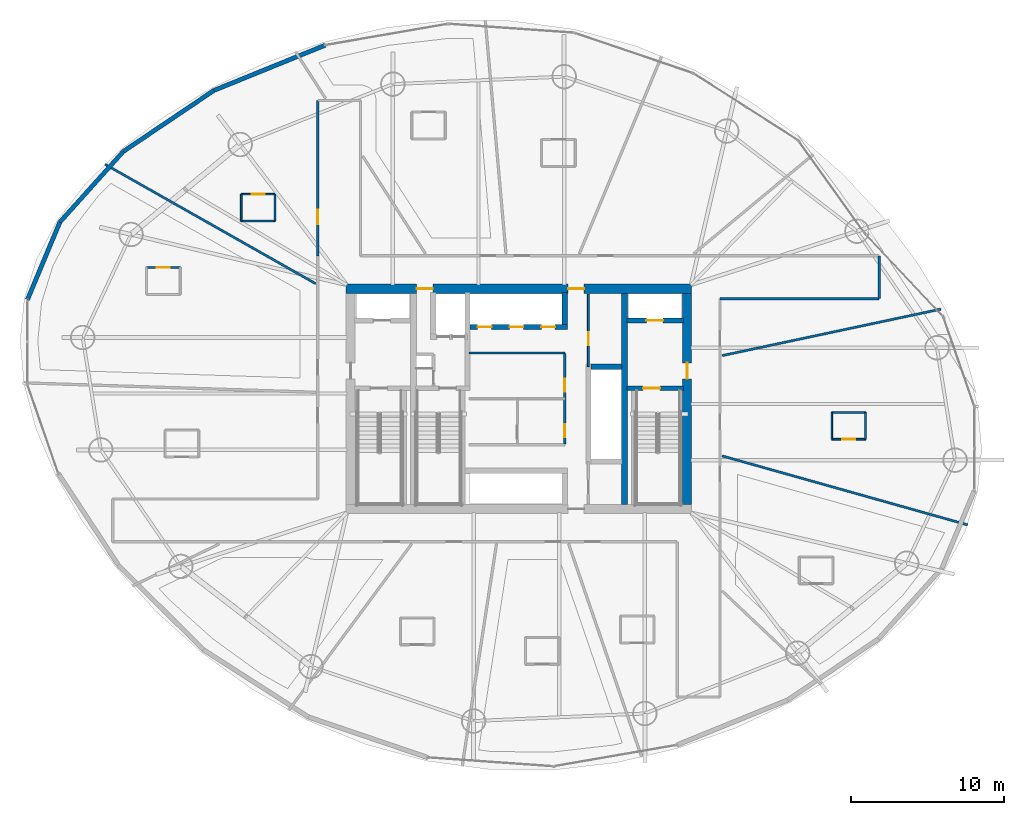
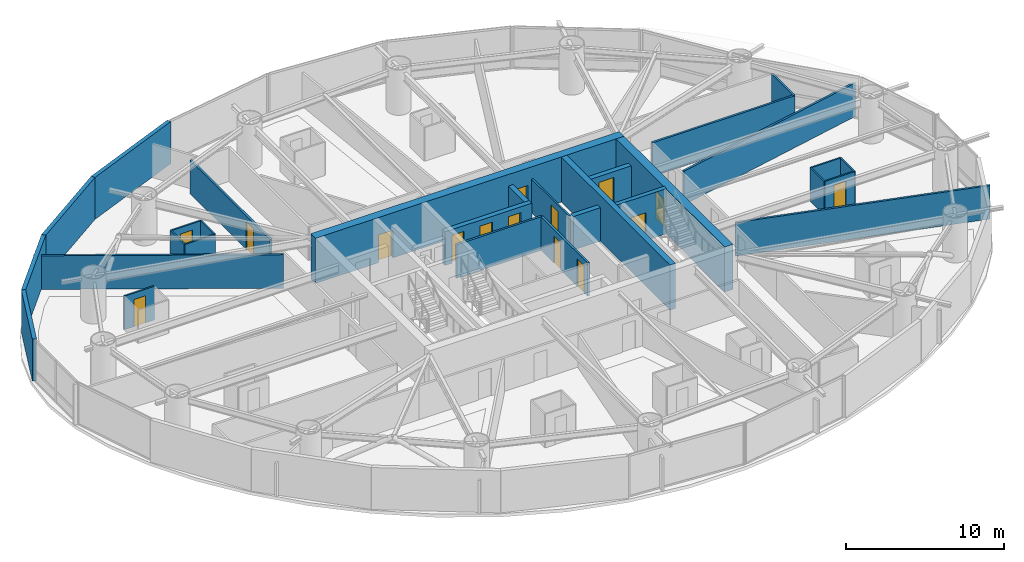
# One storey, part 22 of 27: 30 walls, 15 doors, 15 openings.
"""IFC4 building model written with IfcOpenShell, lengths in metres."""

from ifc_helpers import new_model, si_unit, direction, frame, frame_2d, origin, place, context, subcontext, project, spatial, rectangle, extrude, material, layer, layer_set, type_object, element, fill, save


model = new_model("IFC4")

# Units and contexts
model_context = context("Model", 3, precision=1e-05, world=origin(), true_north=direction((0.0, 1.0)))
body_context = subcontext(model_context, "Body", "Model", "MODEL_VIEW")
ifc_project = project(units=[si_unit("LENGTHUNIT", "METRE"), si_unit("AREAUNIT", "SQUARE_METRE"), si_unit("VOLUMEUNIT", "CUBIC_METRE"), si_unit("PLANEANGLEUNIT", "RADIAN"), si_unit("MASSUNIT", "GRAM", prefix="KILO")], contexts=[model_context])

# Site, building, storey
site_placement = place(None, origin())
site = spatial("IfcSite", under=ifc_project, at=site_placement, CompositionType="ELEMENT")
building_placement = place(site_placement, origin())
building = spatial("IfcBuilding", under=site, at=building_placement, Name="Bramvorn Convention Spire", CompositionType="ELEMENT")
storey_placement = place(building_placement, frame((0.0, 0.0, 79.89990234375)))
storey = spatial("IfcBuildingStorey", under=building, at=storey_placement, Name="L18", CompositionType="ELEMENT", Elevation=79.89990234375)

# Wall, openings, doors
ifc_material_1 = material(Name="Concrete C60/70", Category="concrete")
ifc_layer_1 = layer(ifc_material_1, 0.60009765625)
ifc_layer_set_1 = layer_set([ifc_layer_1], Name="Concrete C60/70 - WL-CORE-600")
wall_type_1 = type_object("IfcWallType", Name="WL-CORE-600", PredefinedType="SHEAR", material=ifc_layer_set_1)
wall_1_placement = place(storey_placement, frame((26.699951171875, 33.199951171875, 0.0), z_axis=(0.0, 0.0, 1.0), x_axis=(1.0, 0.0, 0.0)))
wall_1 = element("IfcWall", 1, at=wall_1_placement, inside=storey, type_object=wall_type_1, Name="L18 North RC core shear wall", PredefinedType="SHEAR", context=body_context, shape_type="SweptSolid", body=[
    extrude(rectangle(XDim=22.60009765625, YDim=0.60009765625, at=frame_2d((11.300048828125, 0.0))), origin(), (0.0, 0.0, 1.0), 3.5),
])
opening_1_placement = place(wall_1_placement, frame((4.6201171875, 0.0, 0.0)))
opening_1 = element("IfcOpeningElement", 2, at=opening_1_placement, cuts=wall_1, Name="Opening DL-105", PredefinedType="OPENING", context=body_context, shape_type="SweptSolid", body=[
    extrude(rectangle(XDim=1.050048828125, YDim=2.14990234375, at=frame_2d((0.52490234375, 1.074951171875))), frame((0.0, 0.31005859375, 0.0), z_axis=(0.0, -1.0, 0.0), x_axis=(1.0, 0.0, 0.0)), (0.0, 0.0, 1.0), 0.6201171875),
])
opening_2_placement = place(wall_1_placement, frame((14.52001953125, 0.0, 0.0)))
opening_2 = element("IfcOpeningElement", 3, at=opening_2_placement, cuts=wall_1, Name="Opening DL-105", PredefinedType="OPENING", context=body_context, shape_type="SweptSolid", body=[
    extrude(rectangle(XDim=1.050048828125, YDim=2.14990234375, at=frame_2d((0.52490234375, 1.074951171875))), frame((0.0, 0.31005859375, 0.0), z_axis=(0.0, -1.0, 0.0), x_axis=(1.0, 0.0, 0.0)), (0.0, 0.0, 1.0), 0.6201171875),
])
ifc_material_2 = material(Name="Smoke-Sealed Fire Lobby Timber-Core Door", Category="wood")
door_type_1 = type_object("IfcDoorType", Name="DR-LOBBY-1050", OperationType="NOTDEFINED", PredefinedType="DOOR", material=ifc_material_2)
door_1_placement = place(opening_1_placement, origin())
door_1 = element("IfcDoor", 4, at=door_1_placement, inside=storey, type_object=door_type_1, Name="L18 Service & Stair ST3 Lobby north corridor door", OperationType="SINGLE_SWING_LEFT", OverallHeight=2.14990234375, OverallWidth=1.050048828125, PredefinedType="DOOR", context=body_context, shape_type="SweptSolid", body=[
    extrude(rectangle(XDim=1.050048828125, YDim=2.14990234375, at=frame_2d((0.52490234375, 1.074951171875))), frame((0.0, 0.02490234375, 0.0), z_axis=(0.0, -1.0, 0.0), x_axis=(1.0, 0.0, 0.0)), (0.0, 0.0, 1.0), 0.050048828125),
])
fill(opening_1, door_1)
door_2_placement = place(opening_2_placement, origin())
door_2 = element("IfcDoor", 5, at=door_2_placement, inside=storey, type_object=door_type_1, Name="L18 North Lift Lobby fire door", OperationType="SINGLE_SWING_LEFT", OverallHeight=2.14990234375, OverallWidth=1.050048828125, PredefinedType="DOOR", context=body_context, shape_type="SweptSolid", body=[
    extrude(rectangle(XDim=1.050048828125, YDim=2.14990234375, at=frame_2d((0.52490234375, 1.074951171875))), frame((0.0, 0.02490234375, 0.0), z_axis=(0.0, -1.0, 0.0), x_axis=(1.0, 0.0, 0.0)), (0.0, 0.0, 1.0), 0.050048828125),
])
fill(opening_2, door_2)

# Wall, opening, door
wall_2_placement = place(storey_placement, frame((49.0, 19.10009765625, 0.0), z_axis=(0.0, 0.0, 1.0), x_axis=(0.0, 1.0, 0.0)))
wall_2 = element("IfcWall", 6, at=wall_2_placement, inside=storey, type_object=wall_type_1, Name="L18 East RC core shear wall", PredefinedType="SHEAR", context=body_context, shape_type="SweptSolid", body=[
    extrude(rectangle(XDim=13.7998046875, YDim=0.60009765625, at=frame_2d((6.89990234375, 0.0))), origin(), (0.0, 0.0, 1.0), 3.5),
])
opening_3_placement = place(wall_2_placement, frame((8.199951171875, 0.0, 0.0)))
opening_3 = element("IfcOpeningElement", 7, at=opening_3_placement, cuts=wall_2, Name="Opening DL-105", PredefinedType="OPENING", context=body_context, shape_type="SweptSolid", body=[
    extrude(rectangle(XDim=1.050048828125, YDim=2.14990234375, at=frame_2d((0.52490234375, 1.074951171875))), frame((0.0, 0.31005859375, 0.0), z_axis=(0.0, -1.0, 0.0), x_axis=(1.0, 0.0, 0.0)), (0.0, 0.0, 1.0), 0.6201171875),
])
door_3_placement = place(opening_3_placement, origin())
door_3 = element("IfcDoor", 8, at=door_3_placement, inside=storey, type_object=door_type_1, Name="L18 East Firefighting Lobby corridor door", OperationType="SINGLE_SWING_LEFT", OverallHeight=2.14990234375, OverallWidth=1.050048828125, PredefinedType="DOOR", context=body_context, shape_type="SweptSolid", body=[
    extrude(rectangle(XDim=1.050048828125, YDim=2.14990234375, at=frame_2d((0.52490234375, 1.074951171875))), frame((0.0, 0.02490234375, 0.0), z_axis=(0.0, -1.0, 0.0), x_axis=(1.0, 0.0, 0.0)), (0.0, 0.0, 1.0), 0.050048828125),
])
fill(opening_3, door_3)

ifc_material_3 = material(Name="Concrete C50/60", Category="concrete")
ifc_layer_2 = layer(ifc_material_3, 0.35009765625)
ifc_layer_set_2 = layer_set([ifc_layer_2], Name="Concrete C50/60 - WL-CORE-INT-350")
wall_type_2 = type_object("IfcWallType", Name="WL-CORE-INT-350", PredefinedType="SHEAR", material=ifc_layer_set_2)
wall_3_placement = place(storey_placement, frame((45.080078125, 31.1201171875, 0.0), z_axis=(0.0, 0.0, 1.0), x_axis=(1.0, 0.0, 0.0)))
wall_3 = element("IfcWall", 9, at=wall_3_placement, inside=storey, type_object=wall_type_2, Name="L18 FE2 shaft front wall", PredefinedType="SHEAR", context=body_context, shape_type="SweptSolid", body=[
    extrude(rectangle(XDim=3.669921875, YDim=0.35009765625, at=frame_2d((1.8349609375, 0.0))), origin(), (0.0, 0.0, 1.0), 2.60009765625),
])
opening_4_placement = place(wall_3_placement, frame((1.25, 0.0, 0.0)))
opening_4 = element("IfcOpeningElement", 10, at=opening_4_placement, cuts=wall_3, Name="Opening LD-110", PredefinedType="OPENING", context=body_context, shape_type="SweptSolid", body=[
    extrude(rectangle(XDim=1.10009765625, YDim=2.14990234375, at=frame_2d((0.550048828125, 1.074951171875))), frame((0.0, 0.18505859375, 0.0), z_axis=(0.0, -1.0, 0.0), x_axis=(1.0, 0.0, 0.0)), (0.0, 0.0, 1.0), 0.3701171875),
])
ifc_material_4 = material(Name="Firefighting & Service Lift Sliding Landing Door", Category="steel")
door_type_2 = type_object("IfcDoorType", Name="DR-LIFT-LD-1100", OperationType="NOTDEFINED", PredefinedType="DOOR", material=ifc_material_4)
door_4_placement = place(opening_4_placement, origin())
door_4 = element("IfcDoor", 11, at=door_4_placement, inside=storey, type_object=door_type_2, Name="L18 Lift FE2 Sliding Landing Door", OperationType="SLIDING_TO_LEFT", OverallHeight=2.14990234375, OverallWidth=1.10009765625, PredefinedType="DOOR", context=body_context, shape_type="SweptSolid", body=[
    extrude(rectangle(XDim=1.10009765625, YDim=2.14990234375, at=frame_2d((0.550048828125, 1.074951171875))), frame((0.0, 0.02490234375, 0.0), z_axis=(0.0, -1.0, 0.0), x_axis=(1.0, 0.0, 0.0)), (0.0, 0.0, 1.0), 0.050048828125),
])
fill(opening_4, door_4)

# Wall
wall_4_placement = place(storey_placement, frame((42.719970703125, 28.10009765625, 0.0), z_axis=(0.0, 0.0, 1.0), x_axis=(1.0, 0.0, 0.0)))
element("IfcWall", 12, at=wall_4_placement, inside=storey, type_object=wall_type_2, Name="L18 High-rise lift bank north wall", PredefinedType="SHEAR", context=body_context, shape_type="SweptSolid", body=[
    extrude(rectangle(XDim=2.030029296875, YDim=0.35009765625, at=frame_2d((1.01513671875, 0.0))), origin(), (0.0, 0.0, 1.0), 2.60009765625),
])

# Wall, openings, doors
wall_5_placement = place(storey_placement, frame((34.81005859375, 30.699951171875, 0.0), z_axis=(0.0, 0.0, 1.0), x_axis=(1.0, 0.0, 0.0)))
wall_5 = element("IfcWall", 13, at=wall_5_placement, inside=storey, type_object=wall_type_2, Name="L18 Low-rise bank south landing wall", PredefinedType="SHEAR", context=body_context, shape_type="SweptSolid", body=[
    extrude(rectangle(XDim=6.35986328125, YDim=0.35009765625, at=frame_2d((3.179931640625, 0.0))), origin(), (0.0, 0.0, 1.0), 2.60009765625),
])
opening_5_placement = place(wall_5_placement, frame((0.5, 0.0, 0.0)))
opening_5 = element("IfcOpeningElement", 14, at=opening_5_placement, cuts=wall_5, Name="Opening LD-090", PredefinedType="OPENING", context=body_context, shape_type="SweptSolid", body=[
    extrude(rectangle(XDim=0.89990234375, YDim=2.14990234375, at=frame_2d((0.449951171875, 1.074951171875))), frame((0.0, 0.18505859375, 0.0), z_axis=(0.0, -1.0, 0.0), x_axis=(1.0, 0.0, 0.0)), (0.0, 0.0, 1.0), 0.3701171875),
])
opening_6_placement = place(wall_5_placement, frame((2.580078125, 0.0, 0.0)))
opening_6 = element("IfcOpeningElement", 15, at=opening_6_placement, cuts=wall_5, Name="Opening LD-090", PredefinedType="OPENING", context=body_context, shape_type="SweptSolid", body=[
    extrude(rectangle(XDim=0.89990234375, YDim=2.14990234375, at=frame_2d((0.449951171875, 1.074951171875))), frame((0.0, 0.18505859375, 0.0), z_axis=(0.0, -1.0, 0.0), x_axis=(1.0, 0.0, 0.0)), (0.0, 0.0, 1.0), 0.3701171875),
])
opening_7_placement = place(wall_5_placement, frame((4.659912109375, 0.0, 0.0)))
opening_7 = element("IfcOpeningElement", 16, at=opening_7_placement, cuts=wall_5, Name="Opening LD-090", PredefinedType="OPENING", context=body_context, shape_type="SweptSolid", body=[
    extrude(rectangle(XDim=0.89990234375, YDim=2.14990234375, at=frame_2d((0.449951171875, 1.074951171875))), frame((0.0, 0.18505859375, 0.0), z_axis=(0.0, -1.0, 0.0), x_axis=(1.0, 0.0, 0.0)), (0.0, 0.0, 1.0), 0.3701171875),
])
ifc_material_5 = material(Name="Bi-Parting Fire-Rated Lift Landing Door", Category="steel")
door_type_3 = type_object("IfcDoorType", Name="DR-LIFT-LD-900", OperationType="NOTDEFINED", PredefinedType="DOOR", material=ifc_material_5)
door_5_placement = place(opening_5_placement, origin())
door_5 = element("IfcDoor", 17, at=door_5_placement, inside=storey, type_object=door_type_3, Name="L18 Lift PL1 Sliding Landing Door", OperationType="SLIDING_TO_LEFT", OverallHeight=2.14990234375, OverallWidth=0.89990234375, PredefinedType="DOOR", context=body_context, shape_type="SweptSolid", body=[
    extrude(rectangle(XDim=0.89990234375, YDim=2.14990234375, at=frame_2d((0.449951171875, 1.074951171875))), frame((0.0, 0.02490234375, 0.0), z_axis=(0.0, -1.0, 0.0), x_axis=(1.0, 0.0, 0.0)), (0.0, 0.0, 1.0), 0.050048828125),
])
fill(opening_5, door_5)
door_6_placement = place(opening_6_placement, origin())
door_6 = element("IfcDoor", 18, at=door_6_placement, inside=storey, type_object=door_type_3, Name="L18 Lift PL2 Sliding Landing Door", OperationType="SLIDING_TO_LEFT", OverallHeight=2.14990234375, OverallWidth=0.89990234375, PredefinedType="DOOR", context=body_context, shape_type="SweptSolid", body=[
    extrude(rectangle(XDim=0.89990234375, YDim=2.14990234375, at=frame_2d((0.449951171875, 1.074951171875))), frame((0.0, 0.02490234375, 0.0), z_axis=(0.0, -1.0, 0.0), x_axis=(1.0, 0.0, 0.0)), (0.0, 0.0, 1.0), 0.050048828125),
])
fill(opening_6, door_6)
door_7_placement = place(opening_7_placement, origin())
door_7 = element("IfcDoor", 19, at=door_7_placement, inside=storey, type_object=door_type_3, Name="L18 Lift PL3 Sliding Landing Door", OperationType="SLIDING_TO_LEFT", OverallHeight=2.14990234375, OverallWidth=0.89990234375, PredefinedType="DOOR", context=body_context, shape_type="SweptSolid", body=[
    extrude(rectangle(XDim=0.89990234375, YDim=2.14990234375, at=frame_2d((0.449951171875, 1.074951171875))), frame((0.0, 0.02490234375, 0.0), z_axis=(0.0, -1.0, 0.0), x_axis=(1.0, 0.0, 0.0)), (0.0, 0.0, 1.0), 0.050048828125),
])
fill(opening_7, door_7)

# Walls
wall_6_placement = place(storey_placement, frame((41.0, 30.8701171875, 0.0), z_axis=(0.0, 0.0, 1.0), x_axis=(0.0, 1.0, 0.0)))
element("IfcWall", 20, at=wall_6_placement, inside=storey, type_object=wall_type_2, Name="L18 Low-rise bank east cheek wall", PredefinedType="SHEAR", context=body_context, shape_type="SweptSolid", body=[
    extrude(rectangle(XDim=2.079833984375, YDim=0.35009765625, at=frame_2d((1.0400390625, 0.0))), origin(), (0.0, 0.0, 1.0), 2.60009765625),
])
ifc_layer_3 = layer(ifc_material_1, 0.39990234375)
ifc_layer_set_3 = layer_set([ifc_layer_3], Name="Concrete C60/70 - WL-CORE-INT-400")
wall_type_3 = type_object("IfcWallType", Name="WL-CORE-INT-400", PredefinedType="SHEAR", material=ifc_layer_set_3)
wall_7_placement = place(storey_placement, frame((44.89990234375, 19.10009765625, 0.0), z_axis=(0.0, 0.0, 1.0), x_axis=(0.0, 1.0, 0.0)))
element("IfcWall", 21, at=wall_7_placement, inside=storey, type_object=wall_type_3, Name="L18 East internal core shear web", PredefinedType="SHEAR", context=body_context, shape_type="SweptSolid", body=[
    extrude(rectangle(XDim=13.7998046875, YDim=0.39990234375, at=frame_2d((6.89990234375, 0.0))), origin(), (0.0, 0.0, 1.0), 3.5),
])
ifc_material_6 = material(Name="Precast Concrete C40/50 with Bronze Terracotta Rainscreen", Category="masonry")
ifc_layer_4 = layer(ifc_material_6, 0.300048828125)
ifc_layer_set_4 = layer_set([ifc_layer_4], Name="Precast Concrete C40/50 with Bronze Terracotta Rainscreen - WL-EXT-BRONZE-300")
wall_type_4 = type_object("IfcWallType", Name="WL-EXT-BRONZE-300", PredefinedType="SOLIDWALL", material=ifc_layer_set_4)
wall_8_placement = place(storey_placement, frame((18.061767578125, 46.163818359375, 0.0), z_axis=(0.0, 0.0, 1.0), x_axis=(0.926415021548, 0.376503928067, 0.0)))
element("IfcWall", 22, at=wall_8_placement, inside=storey, type_object=wall_type_4, Name="L18 expressed bronze Gothic lancet pier wall 09", PredefinedType="SOLIDWALL", context=body_context, shape_type="SweptSolid", body=[
    extrude(rectangle(XDim=7.8447265625, YDim=0.280029296875, at=frame_2d((3.92236328125, 0.0))), origin(), (0.0, 0.0, 1.0), 3.25),
])
wall_9_placement = place(storey_placement, frame((12.137451171875, 42.17333984375, 0.0), z_axis=(0.0, 0.0, 1.0), x_axis=(0.829395880277, 0.558661322967, 0.0)))
element("IfcWall", 23, at=wall_9_placement, inside=storey, type_object=wall_type_4, Name="L18 expressed bronze Gothic lancet pier wall 10", PredefinedType="SOLIDWALL", context=body_context, shape_type="SweptSolid", body=[
    extrude(rectangle(XDim=7.142822265625, YDim=0.280029296875, at=frame_2d((3.5712890625, 0.0))), origin(), (0.0, 0.0, 1.0), 3.25),
])
wall_10_placement = place(storey_placement, frame((7.987060546875, 37.55126953125, 0.0), z_axis=(0.0, 0.0, 1.0), x_axis=(0.668121821361, 0.744051901295, 0.0)))
element("IfcWall", 24, at=wall_10_placement, inside=storey, type_object=wall_type_4, Name="L18 expressed bronze Gothic lancet pier wall 11", PredefinedType="SOLIDWALL", context=body_context, shape_type="SweptSolid", body=[
    extrude(rectangle(XDim=6.2119140625, YDim=0.280029296875, at=frame_2d((3.10595703125, 0.0))), origin(), (0.0, 0.0, 1.0), 3.25),
])
wall_11_placement = place(storey_placement, frame((5.86669921875, 32.479248046875, 0.0), z_axis=(0.0, 0.0, 1.0), x_axis=(0.385703037269, 0.922622982069, 0.0)))
element("IfcWall", 25, at=wall_11_placement, inside=storey, type_object=wall_type_4, Name="L18 expressed bronze Gothic lancet pier wall 12", PredefinedType="SOLIDWALL", context=body_context, shape_type="SweptSolid", body=[
    extrude(rectangle(XDim=5.497314453125, YDim=0.280029296875, at=frame_2d((2.74853515625, 0.0))), origin(), (0.0, 0.0, 1.0), 3.25),
])
ifc_material_7 = material(Name="Lightweight En-Suite & Wet-Wall Partition", Category="gypsum")
ifc_layer_5 = layer(ifc_material_7, 0.110107421875)
ifc_layer_set_5 = layer_set([ifc_layer_5], Name="Lightweight En-Suite & Wet-Wall Partition - WL-PART-110")
wall_type_5 = type_object("IfcWallType", Name="WL-PART-110", PredefinedType="PARTITIONING", material=ifc_layer_set_5)
wall_12_placement = place(storey_placement, frame((19.84912109375, 37.623779296875, 0.0), z_axis=(0.0, 0.0, 1.0), x_axis=(1.0, 0.0, 0.0)))
element("IfcWall", 26, at=wall_12_placement, inside=storey, type_object=wall_type_5, Name="Hotel Suite 1805 en-suite south wall", PredefinedType="PARTITIONING", context=body_context, shape_type="SweptSolid", body=[
    extrude(rectangle(XDim=2.199951171875, YDim=0.110107421875, at=frame_2d((1.10009765625, 0.0))), origin(), (0.0, 0.0, 1.0), 2.60009765625),
])

# Wall, opening, door
wall_13_placement = place(storey_placement, frame((19.84912109375, 39.3837890625, 0.0), z_axis=(0.0, 0.0, 1.0), x_axis=(1.0, 0.0, 0.0)))
wall_13 = element("IfcWall", 27, at=wall_13_placement, inside=storey, type_object=wall_type_5, Name="Hotel Suite 1805 en-suite north wall", PredefinedType="PARTITIONING", context=body_context, shape_type="SweptSolid", body=[
    extrude(rectangle(XDim=2.199951171875, YDim=0.110107421875, at=frame_2d((1.10009765625, 0.0))), origin(), (0.0, 0.0, 1.0), 2.60009765625),
])
opening_8_placement = place(wall_13_placement, frame((0.679931640625, 0.0, 0.0)))
opening_8 = element("IfcOpeningElement", 28, at=opening_8_placement, cuts=wall_13, Name="Opening DI-085", PredefinedType="OPENING", context=body_context, shape_type="SweptSolid", body=[
    extrude(rectangle(XDim=0.85009765625, YDim=2.10009765625, at=frame_2d((0.425048828125, 1.050048828125))), frame((0.0, 0.06494140625, 0.0), z_axis=(0.0, -1.0, 0.0), x_axis=(1.0, 0.0, 0.0)), (0.0, 0.0, 1.0), 0.130126953125),
])
ifc_material_8 = material(Name="En-Suite & Restroom Privacy Door", Category="wood")
door_type_4 = type_object("IfcDoorType", Name="DR-INT-850", OperationType="NOTDEFINED", PredefinedType="DOOR", material=ifc_material_8)
door_8_placement = place(opening_8_placement, origin())
door_8 = element("IfcDoor", 29, at=door_8_placement, inside=storey, type_object=door_type_4, Name="Hotel Suite 1805 En-Suite Bathroom door", OperationType="SINGLE_SWING_LEFT", OverallHeight=2.10009765625, OverallWidth=0.85009765625, PredefinedType="DOOR", context=body_context, shape_type="SweptSolid", body=[
    extrude(rectangle(XDim=0.85009765625, YDim=2.10009765625, at=frame_2d((0.425048828125, 1.050048828125))), frame((0.0, 0.02490234375, 0.0), z_axis=(0.0, -1.0, 0.0), x_axis=(1.0, 0.0, 0.0)), (0.0, 0.0, 1.0), 0.050048828125),
])
fill(opening_8, door_8)

# Walls
for number, where, z_axis, x_axis, name in (
    (30, (19.84912109375, 37.623779296875, 0.0), (0.0, 0.0, 1.0), (0.0, 1.0, 0.0), "Hotel Suite 1805 en-suite west wall"),
    (31, (22.049072265625, 37.623779296875, 0.0), (0.0, 0.0, 1.0), (0.0, 1.0, 0.0), "Hotel Suite 1805 en-suite east wall"),
):
    element("IfcWall", number, at=place(storey_placement, frame(where, z_axis=z_axis, x_axis=x_axis)), inside=storey, type_object=wall_type_5, Name=name, PredefinedType="PARTITIONING", context=body_context, shape_type="SweptSolid", body=[
        extrude(rectangle(XDim=1.760009765625, YDim=0.110107421875, at=frame_2d((0.8798828125, 0.0))), origin(), (0.0, 0.0, 1.0), 2.60009765625),
    ])

# Wall, opening, door
wall_14_placement = place(storey_placement, frame((13.654296875, 34.58642578125, 0.0), z_axis=(0.0, 0.0, 1.0), x_axis=(1.0, 0.0, 0.0)))
wall_14 = element("IfcWall", 32, at=wall_14_placement, inside=storey, type_object=wall_type_5, Name="Hotel Suite 1806 en-suite north wall", PredefinedType="PARTITIONING", context=body_context, shape_type="SweptSolid", body=[
    extrude(rectangle(XDim=2.199951171875, YDim=0.110107421875, at=frame_2d((1.10009765625, 0.0))), origin(), (0.0, 0.0, 1.0), 2.60009765625),
])
opening_9_placement = place(wall_14_placement, frame((0.679931640625, 0.0, 0.0)))
opening_9 = element("IfcOpeningElement", 33, at=opening_9_placement, cuts=wall_14, Name="Opening DI-085", PredefinedType="OPENING", context=body_context, shape_type="SweptSolid", body=[
    extrude(rectangle(XDim=0.85009765625, YDim=2.10009765625, at=frame_2d((0.425048828125, 1.050048828125))), frame((0.0, 0.06494140625, 0.0), z_axis=(0.0, -1.0, 0.0), x_axis=(1.0, 0.0, 0.0)), (0.0, 0.0, 1.0), 0.130126953125),
])
door_9_placement = place(opening_9_placement, origin())
door_9 = element("IfcDoor", 34, at=door_9_placement, inside=storey, type_object=door_type_4, Name="Hotel Suite 1806 En-Suite Bathroom door", OperationType="SINGLE_SWING_LEFT", OverallHeight=2.10009765625, OverallWidth=0.85009765625, PredefinedType="DOOR", context=body_context, shape_type="SweptSolid", body=[
    extrude(rectangle(XDim=0.85009765625, YDim=2.10009765625, at=frame_2d((0.425048828125, 1.050048828125))), frame((0.0, 0.02490234375, 0.0), z_axis=(0.0, -1.0, 0.0), x_axis=(1.0, 0.0, 0.0)), (0.0, 0.0, 1.0), 0.050048828125),
])
fill(opening_9, door_9)

wall_15_placement = place(storey_placement, frame((58.46630859375, 23.3505859375, 0.0), z_axis=(0.0, 0.0, 1.0), x_axis=(1.0, 0.0, 0.0)))
wall_15 = element("IfcWall", 35, at=wall_15_placement, inside=storey, type_object=wall_type_5, Name="Hotel Suite 1813 en-suite south wall", PredefinedType="PARTITIONING", context=body_context, shape_type="SweptSolid", body=[
    extrude(rectangle(XDim=2.199951171875, YDim=0.110107421875, at=frame_2d((1.10009765625, 0.0))), origin(), (0.0, 0.0, 1.0), 2.60009765625),
])
opening_10_placement = place(wall_15_placement, frame((0.679931640625, 0.0, 0.0)))
opening_10 = element("IfcOpeningElement", 36, at=opening_10_placement, cuts=wall_15, Name="Opening DI-085", PredefinedType="OPENING", context=body_context, shape_type="SweptSolid", body=[
    extrude(rectangle(XDim=0.85009765625, YDim=2.10009765625, at=frame_2d((0.425048828125, 1.050048828125))), frame((0.0, 0.06494140625, 0.0), z_axis=(0.0, -1.0, 0.0), x_axis=(1.0, 0.0, 0.0)), (0.0, 0.0, 1.0), 0.130126953125),
])
door_10_placement = place(opening_10_placement, origin())
door_10 = element("IfcDoor", 37, at=door_10_placement, inside=storey, type_object=door_type_4, Name="Hotel Suite 1813 En-Suite Bathroom door", OperationType="SINGLE_SWING_LEFT", OverallHeight=2.10009765625, OverallWidth=0.85009765625, PredefinedType="DOOR", context=body_context, shape_type="SweptSolid", body=[
    extrude(rectangle(XDim=0.85009765625, YDim=2.10009765625, at=frame_2d((0.425048828125, 1.050048828125))), frame((0.0, 0.02490234375, 0.0), z_axis=(0.0, -1.0, 0.0), x_axis=(1.0, 0.0, 0.0)), (0.0, 0.0, 1.0), 0.050048828125),
])
fill(opening_10, door_10)

# Walls
wall_16_placement = place(storey_placement, frame((58.46630859375, 25.110595703125, 0.0), z_axis=(0.0, 0.0, 1.0), x_axis=(1.0, 0.0, 0.0)))
element("IfcWall", 38, at=wall_16_placement, inside=storey, type_object=wall_type_5, Name="Hotel Suite 1813 en-suite north wall", PredefinedType="PARTITIONING", context=body_context, shape_type="SweptSolid", body=[
    extrude(rectangle(XDim=2.199951171875, YDim=0.110107421875, at=frame_2d((1.10009765625, 0.0))), origin(), (0.0, 0.0, 1.0), 2.60009765625),
])
for number, where, z_axis, x_axis, name in (
    (39, (58.46630859375, 23.3505859375, 0.0), (0.0, 0.0, 1.0), (0.0, 1.0, 0.0), "Hotel Suite 1813 en-suite west wall"),
    (40, (60.666259765625, 23.3505859375, 0.0), (0.0, 0.0, 1.0), (0.0, 1.0, 0.0), "Hotel Suite 1813 en-suite east wall"),
):
    element("IfcWall", number, at=place(storey_placement, frame(where, z_axis=z_axis, x_axis=x_axis)), inside=storey, type_object=wall_type_5, Name=name, PredefinedType="PARTITIONING", context=body_context, shape_type="SweptSolid", body=[
        extrude(rectangle(XDim=1.760009765625, YDim=0.110107421875, at=frame_2d((0.8798828125, 0.0))), origin(), (0.0, 0.0, 1.0), 2.60009765625),
    ])

# Wall, opening, door
ifc_material_9 = material(Name="Metal-Stud Demountable Office Partition", Category="gypsum")
ifc_layer_6 = layer(ifc_material_9, 0.1298828125)
ifc_layer_set_6 = layer_set([ifc_layer_6], Name="Metal-Stud Demountable Office Partition - WL-PART-130")
wall_type_6 = type_object("IfcWallType", Name="WL-PART-130", PredefinedType="PARTITIONING", material=ifc_layer_set_6)
wall_17_placement = place(storey_placement, frame((42.550048828125, 28.10009765625, 0.0), z_axis=(0.0, 0.0, 1.0), x_axis=(0.0, 1.0, 0.0)))
wall_17 = element("IfcWall", 41, at=wall_17_placement, inside=storey, type_object=wall_type_6, Name="L18 KA NE IDF wall", PredefinedType="PARTITIONING", context=body_context, shape_type="SweptSolid", body=[
    extrude(rectangle(XDim=4.75, YDim=0.1298828125, at=frame_2d((2.375, 0.0))), origin(), (0.0, 0.0, 1.0), 2.60009765625),
])
opening_11_placement = place(wall_17_placement, frame((1.39990234375, 0.0, 0.0)))
opening_11 = element("IfcOpeningElement", 42, at=opening_11_placement, cuts=wall_17, Name="Opening DC-085", PredefinedType="OPENING", context=body_context, shape_type="SweptSolid", body=[
    extrude(rectangle(XDim=0.85009765625, YDim=2.10009765625, at=frame_2d((0.425048828125, 1.050048828125))), frame((0.0, 0.074951171875, 0.0), z_axis=(0.0, -1.0, 0.0), x_axis=(1.0, 0.0, 0.0)), (0.0, 0.0, 1.0), 0.14990234375),
])
ifc_material_10 = material(Name="Fire-Rated Core Washroom & IDF Door", Category="wood")
door_type_5 = type_object("IfcDoorType", Name="DR-CORE-850", OperationType="NOTDEFINED", PredefinedType="DOOR", material=ifc_material_10)
door_11_placement = place(opening_11_placement, origin())
door_11 = element("IfcDoor", 43, at=door_11_placement, inside=storey, type_object=door_type_5, Name="L18 Core IDF & BMS Room door", OperationType="SINGLE_SWING_LEFT", OverallHeight=2.10009765625, OverallWidth=0.85009765625, PredefinedType="DOOR", context=body_context, shape_type="SweptSolid", body=[
    extrude(rectangle(XDim=0.85009765625, YDim=2.10009765625, at=frame_2d((0.425048828125, 1.050048828125))), frame((0.0, 0.02490234375, 0.0), z_axis=(0.0, -1.0, 0.0), x_axis=(1.0, 0.0, 0.0)), (0.0, 0.0, 1.0), 0.050048828125),
])
fill(opening_11, door_11)

# Wall
ifc_material_11 = material(Name="Acoustic Metal-Stud Tenant/Corridor Partition", Category="gypsum")
ifc_layer_7 = layer(ifc_material_11, 0.14990234375)
ifc_layer_set_7 = layer_set([ifc_layer_7], Name="Acoustic Metal-Stud Tenant/Corridor Partition - WL-PART-150")
wall_type_7 = type_object("IfcWallType", Name="WL-PART-150", PredefinedType="PARTITIONING", material=ifc_layer_set_7)
wall_18_placement = place(storey_placement, frame((34.75, 29.0, 0.0), z_axis=(0.0, 0.0, 1.0), x_axis=(1.0, 0.0, 0.0)))
element("IfcWall", 44, at=wall_18_placement, inside=storey, type_object=wall_type_7, Name="L18 Low-rise lift vestibule south wall", PredefinedType="PARTITIONING", context=body_context, shape_type="SweptSolid", body=[
    extrude(rectangle(XDim=6.25, YDim=0.14990234375, at=frame_2d((3.125, 0.0))), origin(), (0.0, 0.0, 1.0), 2.60009765625),
])

# Wall, openings, doors
wall_19_placement = place(storey_placement, frame((41.0, 23.050048828125, 0.0), z_axis=(0.0, 0.0, 1.0), x_axis=(0.0, 1.0, 0.0)))
wall_19 = element("IfcWall", 45, at=wall_19_placement, inside=storey, type_object=wall_type_7, Name="L18 KA east core wall", PredefinedType="PARTITIONING", context=body_context, shape_type="SweptSolid", body=[
    extrude(rectangle(XDim=5.89990234375, YDim=0.14990234375, at=frame_2d((2.949951171875, 0.0))), origin(), (0.0, 0.0, 1.0), 2.60009765625),
])
opening_12_placement = place(wall_19_placement, frame((3.39990234375, 0.0, 0.0)))
opening_12 = element("IfcOpeningElement", 46, at=opening_12_placement, cuts=wall_19, Name="Opening DC-085", PredefinedType="OPENING", context=body_context, shape_type="SweptSolid", body=[
    extrude(rectangle(XDim=0.85009765625, YDim=2.10009765625, at=frame_2d((0.425048828125, 1.050048828125))), frame((0.0, 0.0849609375, 0.0), z_axis=(0.0, -1.0, 0.0), x_axis=(1.0, 0.0, 0.0)), (0.0, 0.0, 1.0), 0.169921875),
])
opening_13_placement = place(wall_19_placement, frame((0.449951171875, 0.0, 0.0)))
opening_13 = element("IfcOpeningElement", 47, at=opening_13_placement, cuts=wall_19, Name="Opening DC-085", PredefinedType="OPENING", context=body_context, shape_type="SweptSolid", body=[
    extrude(rectangle(XDim=0.85009765625, YDim=2.10009765625, at=frame_2d((0.425048828125, 1.050048828125))), frame((0.0, 0.0849609375, 0.0), z_axis=(0.0, -1.0, 0.0), x_axis=(1.0, 0.0, 0.0)), (0.0, 0.0, 1.0), 0.169921875),
])
door_12_placement = place(opening_12_placement, origin())
door_12 = element("IfcDoor", 48, at=door_12_placement, inside=storey, type_object=door_type_5, Name="L18 Core Linen & Equipment Store door", OperationType="SINGLE_SWING_LEFT", OverallHeight=2.10009765625, OverallWidth=0.85009765625, PredefinedType="DOOR", context=body_context, shape_type="SweptSolid", body=[
    extrude(rectangle(XDim=0.85009765625, YDim=2.10009765625, at=frame_2d((0.425048828125, 1.050048828125))), frame((0.0, 0.02490234375, 0.0), z_axis=(0.0, -1.0, 0.0), x_axis=(1.0, 0.0, 0.0)), (0.0, 0.0, 1.0), 0.050048828125),
])
fill(opening_12, door_12)
door_13_placement = place(opening_13_placement, origin())
door_13 = element("IfcDoor", 49, at=door_13_placement, inside=storey, type_object=door_type_5, Name="L18 Accessible Core Restroom door", OperationType="SINGLE_SWING_LEFT", OverallHeight=2.10009765625, OverallWidth=0.85009765625, PredefinedType="DOOR", context=body_context, shape_type="SweptSolid", body=[
    extrude(rectangle(XDim=0.85009765625, YDim=2.10009765625, at=frame_2d((0.425048828125, 1.050048828125))), frame((0.0, 0.02490234375, 0.0), z_axis=(0.0, -1.0, 0.0), x_axis=(1.0, 0.0, 0.0)), (0.0, 0.0, 1.0), 0.050048828125),
])
fill(opening_13, door_13)

# Walls
wall_20_placement = place(storey_placement, frame((51.14990234375, 32.550048828125, 0.0), z_axis=(0.0, 0.0, 1.0), x_axis=(1.0, 0.0, 0.0)))
element("IfcWall", 50, at=wall_20_placement, inside=storey, type_object=wall_type_7, Name="L18 NE pinwheel wing south wall", PredefinedType="PARTITIONING", context=body_context, shape_type="SweptSolid", body=[
    extrude(rectangle(XDim=10.4052734375, YDim=0.14990234375, at=frame_2d((5.20263671875, 0.0))), origin(), (0.0, 0.0, 1.0), 2.60009765625),
])
wall_21_placement = place(storey_placement, frame((61.55517578125, 32.550048828125, 0.0), z_axis=(0.0, 0.0, 1.0), x_axis=(0.0, 1.0, 0.0)))
element("IfcWall", 51, at=wall_21_placement, inside=storey, type_object=wall_type_7, Name="L18 NE pinwheel end wall", PredefinedType="PARTITIONING", context=body_context, shape_type="SweptSolid", body=[
    extrude(rectangle(XDim=2.800048828125, YDim=0.14990234375, at=frame_2d((1.39990234375, 0.0))), origin(), (0.0, 0.0, 1.0), 2.60009765625),
])

# Wall, opening, door
wall_22_placement = place(storey_placement, frame((24.85009765625, 35.35009765625, 0.0), z_axis=(0.0, 0.0, 1.0), x_axis=(0.0, 1.0, 0.0)))
wall_22 = element("IfcWall", 52, at=wall_22_placement, inside=storey, type_object=wall_type_7, Name="L18 NW pinwheel wing west wall", PredefinedType="PARTITIONING", context=body_context, shape_type="SweptSolid", body=[
    extrude(rectangle(XDim=10.14990234375, YDim=0.14990234375, at=frame_2d((5.074951171875, 0.0))), origin(), (0.0, 0.0, 1.0), 2.60009765625),
])
opening_14_placement = place(wall_22_placement, frame((2.0625, 0.0, 0.0)))
opening_14 = element("IfcOpeningElement", 53, at=opening_14_placement, cuts=wall_22, Name="Opening DH-095", PredefinedType="OPENING", context=body_context, shape_type="SweptSolid", body=[
    extrude(rectangle(XDim=0.949951171875, YDim=2.14990234375, at=frame_2d((0.47509765625, 1.074951171875))), frame((0.0, 0.0849609375, 0.0), z_axis=(0.0, -1.0, 0.0), x_axis=(1.0, 0.0, 0.0)), (0.0, 0.0, 1.0), 0.169921875),
])
ifc_material_12 = material(Name="Solid-Core Acoustic Guestroom Entry Door", Category="wood")
door_type_6 = type_object("IfcDoorType", Name="DR-HOTEL-950", OperationType="NOTDEFINED", PredefinedType="DOOR", material=ifc_material_12)
door_14_placement = place(opening_14_placement, origin())
door_14 = element("IfcDoor", 54, at=door_14_placement, inside=storey, type_object=door_type_6, Name="Hotel Suite 1805 entry door", OperationType="SINGLE_SWING_RIGHT", OverallHeight=2.14990234375, OverallWidth=0.949951171875, PredefinedType="DOOR", context=body_context, shape_type="SweptSolid", body=[
    extrude(rectangle(XDim=0.949951171875, YDim=2.14990234375, at=frame_2d((0.47509765625, 1.074951171875))), frame((0.0, 0.02490234375, 0.0), z_axis=(0.0, -1.0, 0.0), x_axis=(1.0, 0.0, 0.0)), (0.0, 0.0, 1.0), 0.050048828125),
])
fill(opening_14, door_14)

# Walls
wall_23_placement = place(storey_placement, frame((51.2900390625, 28.824951171875, 0.0), z_axis=(0.0, 0.0, 1.0), x_axis=(0.978150744302, 0.207896900943, 0.0)))
element("IfcWall", 55, at=wall_23_placement, inside=storey, type_object=wall_type_7, Name="L18 Guestroom demising wall 1", PredefinedType="PARTITIONING", context=body_context, shape_type="SweptSolid", body=[
    extrude(rectangle(XDim=14.620361328125, YDim=0.14990234375, at=frame_2d((7.31005859375, 0.0))), origin(), (0.0, 0.0, 1.0), 2.60009765625),
])
wall_24_placement = place(storey_placement, frame((24.7099609375, 33.531005859375, 0.0), z_axis=(0.0, 0.0, 1.0), x_axis=(-0.87002725421, 0.493003627707, 0.0)))
element("IfcWall", 56, at=wall_24_placement, inside=storey, type_object=wall_type_7, Name="L18 Guestroom demising wall 6", PredefinedType="PARTITIONING", context=body_context, shape_type="SweptSolid", body=[
    extrude(rectangle(XDim=15.84033203125, YDim=0.14990234375, at=frame_2d((7.920166015625, 0.0))), origin(), (0.0, 0.0, 1.0), 2.60009765625),
])
wall_25_placement = place(storey_placement, frame((51.2900390625, 22.266357421875, 0.0), z_axis=(0.0, 0.0, 1.0), x_axis=(0.962725636105, -0.270479850611, 0.0)))
element("IfcWall", 57, at=wall_25_placement, inside=storey, type_object=wall_type_7, Name="L18 Guestroom demising wall 13", PredefinedType="PARTITIONING", context=body_context, shape_type="SweptSolid", body=[
    extrude(rectangle(XDim=16.68310546875, YDim=0.14990234375, at=frame_2d((8.341552734375, 0.0))), origin(), (0.0, 0.0, 1.0), 2.60009765625),
])

# Wall, opening, door
ifc_layer_8 = layer(ifc_material_3, 0.300048828125)
ifc_layer_set_8 = layer_set([ifc_layer_8], Name="Concrete C50/60 - WL-POD-STAIR-300")
wall_type_8 = type_object("IfcWallType", Name="WL-POD-STAIR-300", PredefinedType="SHEAR", material=ifc_layer_set_8)
wall_26_placement = place(storey_placement, frame((45.080078125, 26.68994140625, 0.0), z_axis=(0.0, 0.0, 1.0), x_axis=(1.0, 0.0, 0.0)))
wall_26 = element("IfcWall", 58, at=wall_26_placement, inside=storey, type_object=wall_type_8, Name="L18 ST2 north fire wall", PredefinedType="SHEAR", context=body_context, shape_type="SweptSolid", body=[
    extrude(rectangle(XDim=3.669921875, YDim=0.300048828125, at=frame_2d((1.8349609375, 0.0))), origin(), (0.0, 0.0, 1.0), 3.5),
])
opening_15_placement = place(wall_26_placement, frame((1.050048828125, 0.0, 0.0)))
opening_15 = element("IfcOpeningElement", 59, at=opening_15_placement, cuts=wall_26, Name="Opening DS-110", PredefinedType="OPENING", context=body_context, shape_type="SweptSolid", body=[
    extrude(rectangle(XDim=1.10009765625, YDim=2.14990234375, at=frame_2d((0.550048828125, 1.074951171875))), frame((0.0, 0.159912109375, 0.0), z_axis=(0.0, -1.0, 0.0), x_axis=(1.0, 0.0, 0.0)), (0.0, 0.0, 1.0), 0.320068359375),
])
ifc_material_13 = material(Name="Fire-Rated Hollow Steel Stairwell Door", Category="steel")
door_type_7 = type_object("IfcDoorType", Name="DR-STAIR-1100", OperationType="NOTDEFINED", PredefinedType="DOOR", material=ifc_material_13)
door_15_placement = place(opening_15_placement, origin())
door_15 = element("IfcDoor", 60, at=door_15_placement, inside=storey, type_object=door_type_7, Name="L18 Stair ST2 fire door", OperationType="SINGLE_SWING_RIGHT", OverallHeight=2.14990234375, OverallWidth=1.10009765625, PredefinedType="DOOR", context=body_context, shape_type="SweptSolid", body=[
    extrude(rectangle(XDim=1.10009765625, YDim=2.14990234375, at=frame_2d((0.550048828125, 1.074951171875))), frame((0.0, 0.02490234375, 0.0), z_axis=(0.0, -1.0, 0.0), x_axis=(1.0, 0.0, 0.0)), (0.0, 0.0, 1.0), 0.050048828125),
])
fill(opening_15, door_15)

save(model, "model.ifc")
